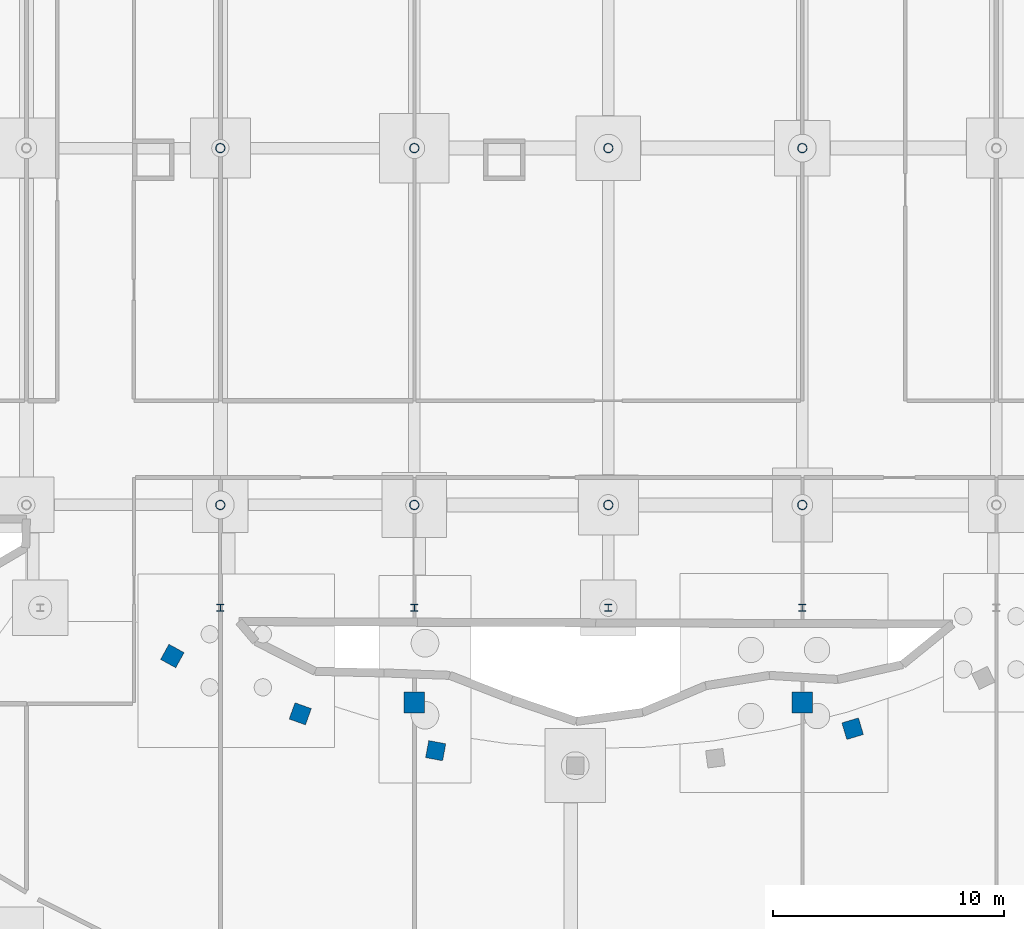
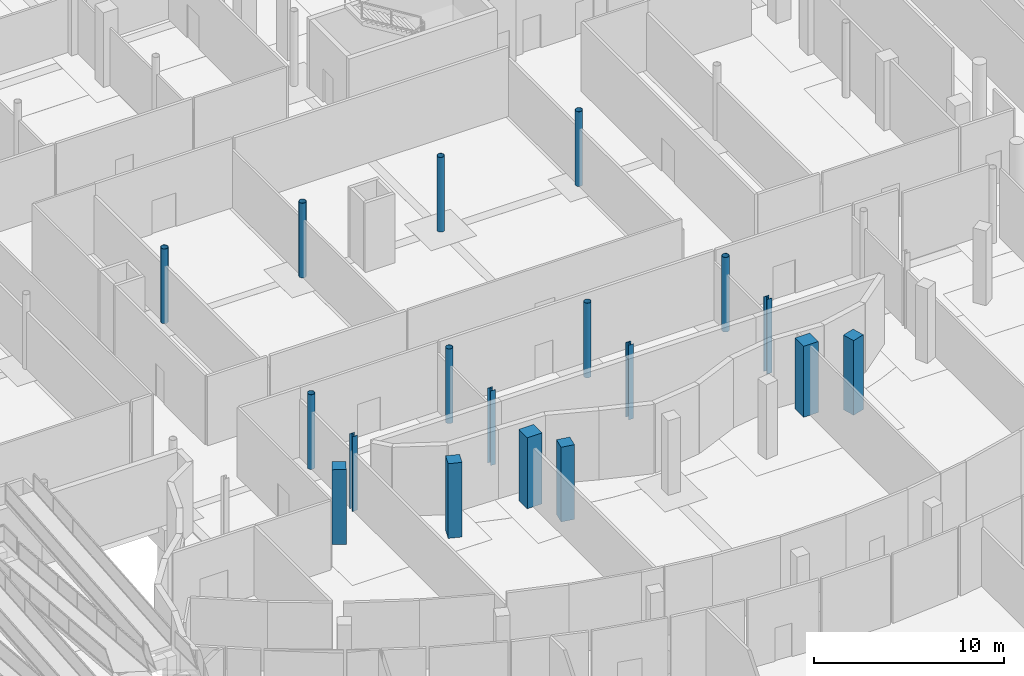
# One storey, part 12 of 45: 18 columns.
"""IFC4 building model written with IfcOpenShell, lengths in metres."""

from ifc_helpers import new_model, si_unit, direction, frame, origin, origin_2d, place, context, subcontext, project, spatial, rectangle, hollow_circle, i_section, extrude, material, material_profile, profile_set, type_object, element, save


model = new_model("IFC4")

# Units and contexts
model_context = context("Model", 3, precision=1e-05, world=origin(), true_north=direction((0.0, 1.0)))
body_context = subcontext(model_context, "Body", "Model", "MODEL_VIEW")
ifc_project = project(units=[si_unit("LENGTHUNIT", "METRE"), si_unit("AREAUNIT", "SQUARE_METRE"), si_unit("VOLUMEUNIT", "CUBIC_METRE"), si_unit("PLANEANGLEUNIT", "RADIAN"), si_unit("MASSUNIT", "GRAM", prefix="KILO")], contexts=[model_context])

# Site, building, storey
site_placement = place(None, origin())
site = spatial("IfcSite", under=ifc_project, at=site_placement, CompositionType="ELEMENT")
building_placement = place(site_placement, origin())
building = spatial("IfcBuilding", under=site, at=building_placement, Name="Selatvlak General Hospital", CompositionType="ELEMENT")
storey_placement = place(building_placement, frame((0.0, 0.0, -4.800048828125)))
storey = spatial("IfcBuildingStorey", under=building, at=storey_placement, Name="B1", CompositionType="ELEMENT", Elevation=-4.800048828125)

# Columns
ifc_material_1 = material(Name="Steel S355", Category="steel")
ifc_material_profile_1 = material_profile(ifc_material_1, hollow_circle(Radius=0.203125, WallThickness=0.01611328125, at=origin_2d()), Name="CHS 406.4x16")
ifc_profile_set_1 = profile_set([ifc_material_profile_1], Name="Steel S355")
column_type_1 = type_object("IfcColumnType", Name="COL-CHS406", PredefinedType="COLUMN", material=ifc_profile_set_1)
for number, where, z_axis, x_axis, name in (
    (1, (39.60009765625, 52.550048828125, 0.0), (0.0, 0.0, 1.0), (1.0, 0.0, 0.0), "Column 007 on B1"),
    (2, (39.60009765625, 68.0, 0.0), (0.0, 0.0, 1.0), (1.0, 0.0, 0.0), "Column 008 on B1"),
    (3, (48.0, 52.550048828125, 0.0), (0.0, 0.0, 1.0), (1.0, 0.0, 0.0), "Column 010 on B1"),
    (4, (48.0, 68.0, 0.0), (0.0, 0.0, 1.0), (1.0, 0.0, 0.0), "Column 011 on B1"),
    (5, (56.39990234375, 52.550048828125, 0.0), (0.0, 0.0, 1.0), (1.0, 0.0, 0.0), "Column 013 on B1"),
    (6, (56.39990234375, 68.0, 0.0), (0.0, 0.0, 1.0), (1.0, 0.0, 0.0), "Column 014 on B1"),
    (7, (64.800048828125, 52.550048828125, 0.0), (0.0, 0.0, 1.0), (1.0, 0.0, 0.0), "Column 016 on B1"),
    (8, (64.800048828125, 68.0, 0.0), (0.0, 0.0, 1.0), (1.0, 0.0, 0.0), "Column 017 on B1"),
):
    element("IfcColumn", number, at=place(storey_placement, frame(where, z_axis=z_axis, x_axis=x_axis)), inside=storey, type_object=column_type_1, Name=name, PredefinedType="COLUMN", context=body_context, shape_type="SweptSolid", body=[
        extrude(hollow_circle(Radius=0.203125, WallThickness=0.01611328125, at=origin_2d()), origin(), (0.0, 0.0, 1.0), 4.800048828125),
    ])
ifc_material_2 = material(Name="Concrete C50/60", Category="concrete")
ifc_material_profile_2 = material_profile(ifc_material_2, rectangle(XDim=0.75, YDim=0.75, at=origin_2d()), Name="RC-COL 750x750")
ifc_profile_set_2 = profile_set([ifc_material_profile_2], Name="Concrete C50/60")
column_type_2 = type_object("IfcColumnType", Name="COL-RC75", PredefinedType="COLUMN", material=ifc_profile_set_2)
for number, where, z_axis, x_axis, name in (
    (9, (37.52099609375, 46.009033203125, 0.0), (0.0, 0.0, 1.0), (0.483007324118, 0.875616311434, 0.0), "Column 314 on B1"),
    (10, (43.05908203125, 43.506103515625, 0.0), (0.0, 0.0, 1.0), (0.338261654325, 0.941052099096, 0.0), "Column 316 on B1"),
    (11, (48.924072265625, 41.909912109375, 0.0), (0.0, 0.0, 1.0), (0.184997729111, 0.982738948156, 0.0), "Column 319 on B1"),
    (12, (66.97900390625, 42.861083984375, 0.0), (0.0, 0.0, 1.0), (-0.286858965796, 0.957972825159, 0.0), "Column 328 on B1"),
):
    element("IfcColumn", number, at=place(storey_placement, frame(where, z_axis=z_axis, x_axis=x_axis)), inside=storey, type_object=column_type_2, Name=name, PredefinedType="COLUMN", context=body_context, shape_type="SweptSolid", body=[
        extrude(rectangle(XDim=0.75, YDim=0.75, at=origin_2d()), origin(), (0.0, 0.0, 1.0), 4.800048828125),
    ])
ifc_material_profile_3 = material_profile(ifc_material_2, rectangle(XDim=0.89990234375, YDim=0.89990234375, at=origin_2d()), Name="RC-COL 900x900")
ifc_profile_set_3 = profile_set([ifc_material_profile_3], Name="Concrete C50/60")
column_type_3 = type_object("IfcColumnType", Name="COL-RC90", PredefinedType="COLUMN", material=ifc_profile_set_3)
for number, where, z_axis, x_axis, name in (
    (13, (48.0, 44.0, 0.0), (0.0, 0.0, 1.0), (1.0, 0.0, 0.0), "Column 176 on B1"),
    (14, (64.800048828125, 44.0, 0.0), (0.0, 0.0, 1.0), (1.0, 0.0, 0.0), "Column 185 on B1"),
):
    element("IfcColumn", number, at=place(storey_placement, frame(where, z_axis=z_axis, x_axis=x_axis)), inside=storey, type_object=column_type_3, Name=name, PredefinedType="COLUMN", context=body_context, shape_type="SweptSolid", body=[
        extrude(rectangle(XDim=0.89990234375, YDim=0.89990234375, at=origin_2d()), origin(), (0.0, 0.0, 1.0), 4.56494140625),
    ])
ifc_material_profile_4 = material_profile(ifc_material_1, i_section(OverallWidth=0.30908203125, OverallDepth=0.320556640625, WebThickness=0.013916015625, FlangeThickness=0.021728515625, at=origin_2d()), Name="UC 305x305x137")
ifc_profile_set_4 = profile_set([ifc_material_profile_4], Name="Steel S355")
column_type_4 = type_object("IfcColumnType", Name="COL-UC305", PredefinedType="COLUMN", material=ifc_profile_set_4)
for number, where, z_axis, x_axis, name in (
    (15, (39.60009765625, 48.10009765625, 0.0), (0.0, 0.0, 1.0), (1.0, 0.0, 0.0), "Column 116 on B1"),
    (16, (48.0, 48.10009765625, 0.0), (0.0, 0.0, 1.0), (1.0, 0.0, 0.0), "Column 117 on B1"),
    (17, (56.39990234375, 48.10009765625, 0.0), (0.0, 0.0, 1.0), (1.0, 0.0, 0.0), "Column 118 on B1"),
    (18, (64.800048828125, 48.10009765625, 0.0), (0.0, 0.0, 1.0), (1.0, 0.0, 0.0), "Column 119 on B1"),
):
    element("IfcColumn", number, at=place(storey_placement, frame(where, z_axis=z_axis, x_axis=x_axis)), inside=storey, type_object=column_type_4, Name=name, PredefinedType="COLUMN", context=body_context, shape_type="SweptSolid", body=[
        extrude(i_section(OverallWidth=0.30908203125, OverallDepth=0.320556640625, WebThickness=0.013916015625, FlangeThickness=0.021728515625, at=origin_2d()), origin(), (0.0, 0.0, 1.0), 4.800048828125),
    ])

save(model, "model.ifc")
